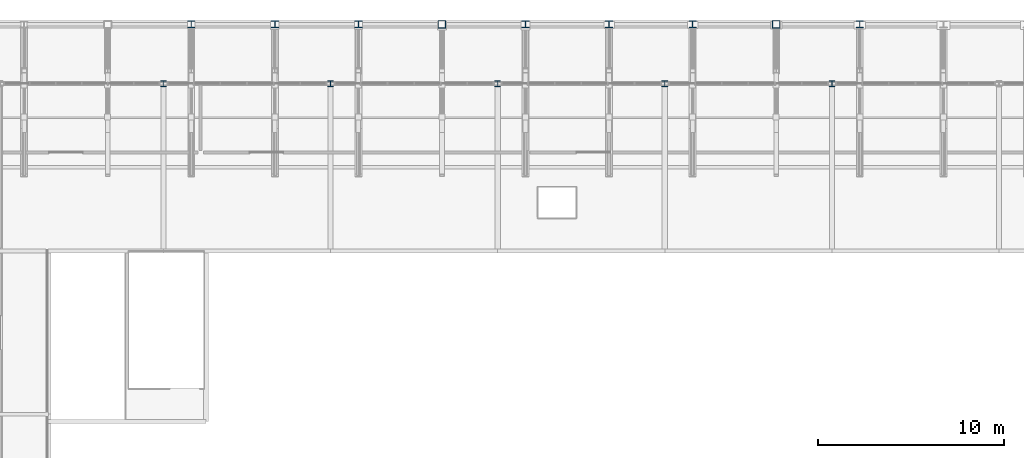
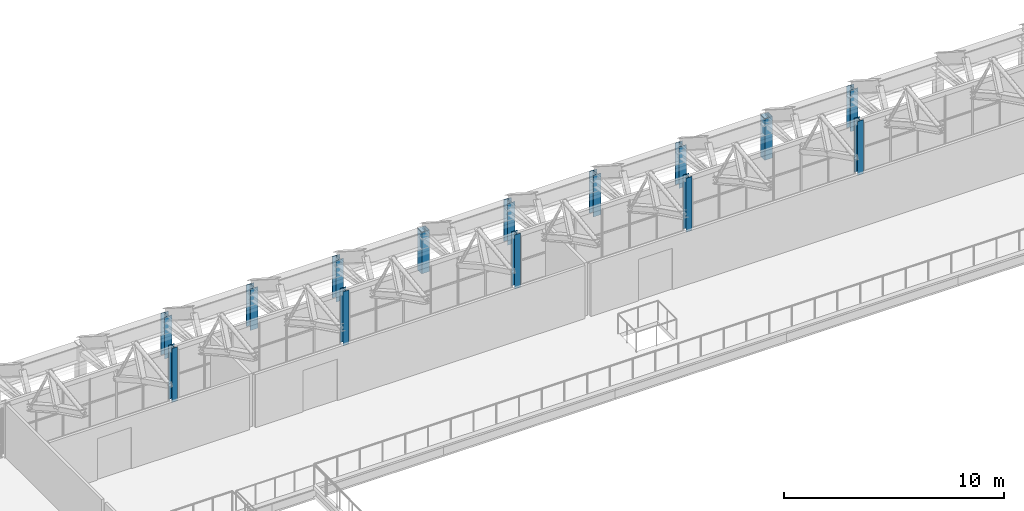
# One storey, part 14 of 134: 14 columns.
"""IFC4 building model written with IfcOpenShell, lengths in metres."""

from ifc_helpers import new_model, si_unit, direction, frame, origin, origin_2d, place, context, subcontext, project, spatial, hollow_rectangle, i_section, extrude, material, material_profile, profile_set, type_object, element, save


model = new_model("IFC4")

# Units and contexts
model_context = context("Model", 3, precision=1e-05, world=origin(), true_north=direction((0.0, 1.0)))
body_context = subcontext(model_context, "Body", "Model", "MODEL_VIEW")
ifc_project = project(units=[si_unit("LENGTHUNIT", "METRE"), si_unit("AREAUNIT", "SQUARE_METRE"), si_unit("VOLUMEUNIT", "CUBIC_METRE"), si_unit("PLANEANGLEUNIT", "RADIAN"), si_unit("MASSUNIT", "GRAM", prefix="KILO")], contexts=[model_context])

# Site, building, storey
site_placement = place(None, origin())
site = spatial("IfcSite", under=ifc_project, at=site_placement, CompositionType="ELEMENT")
building_placement = place(site_placement, origin())
building = spatial("IfcBuilding", under=site, at=building_placement, Name="Cazmaro Siding Exhibition Halls", CompositionType="ELEMENT")
storey_placement = place(building_placement, frame((0.0, 0.0, 12.0)))
storey = spatial("IfcBuildingStorey", under=building, at=storey_placement, Name="L02", CompositionType="ELEMENT", Elevation=12.0)

# Columns
ifc_material_1 = material(Name="Steel ASTM A992 Grade 50", Category="steel")
ifc_material_profile_1 = material_profile(ifc_material_1, i_section(OverallWidth=0.39208984375, OverallDepth=0.3759765625, WebThickness=0.01708984375, FlangeThickness=0.028076171875, at=origin_2d()), Name="W14X145")
ifc_profile_set_1 = profile_set([ifc_material_profile_1], Name="Steel ASTM A992 Grade 50")
column_type_1 = type_object("IfcColumnType", Name="C-03", PredefinedType="COLUMN", material=ifc_profile_set_1)
for number, where, z_axis, x_axis, name in (
    (1, (67.5, 124.0, 0.0), (0.0, 0.0, 1.0), (1.0, 0.0, 0.0), "Column C-03 COL-0036"),
    (2, (76.5, 124.0, 0.0), (0.0, 0.0, 1.0), (1.0, 0.0, 0.0), "Column C-03 COL-0048"),
    (3, (85.5, 124.0, 0.0), (0.0, 0.0, 1.0), (1.0, 0.0, 0.0), "Column C-03 COL-0060"),
    (4, (94.5, 124.0, 0.0), (0.0, 0.0, 1.0), (1.0, 0.0, 0.0), "Column C-03 COL-0072"),
    (5, (103.5, 124.0, 0.0), (0.0, 0.0, 1.0), (1.0, 0.0, 0.0), "Column C-03 COL-0084"),
):
    element("IfcColumn", number, at=place(storey_placement, frame(where, z_axis=z_axis, x_axis=x_axis)), inside=storey, type_object=column_type_1, Name=name, PredefinedType="COLUMN", context=body_context, shape_type="SweptSolid", body=[
        extrude(i_section(OverallWidth=0.39208984375, OverallDepth=0.3759765625, WebThickness=0.01708984375, FlangeThickness=0.028076171875, at=origin_2d()), origin(), (0.0, 0.0, 1.0), 2.300048828125),
    ])
ifc_material_2 = material(Name="Steel ASTM A992 Grade 50", Category="steel")
ifc_material_profile_2 = material_profile(ifc_material_2, i_section(OverallWidth=0.304931640625, OverallDepth=0.306884765625, WebThickness=0.010009765625, FlangeThickness=0.014892578125, at=origin_2d()), Name="W12X65")
ifc_profile_set_2 = profile_set([ifc_material_profile_2], Name="Steel ASTM A992 Grade 50")
column_type_2 = type_object("IfcColumnType", Name="C-06", PredefinedType="COLUMN", material=ifc_profile_set_2)
for number, where, z_axis, x_axis, name in (
    (6, (66.0, 120.800048828125, 0.0), (0.0, 0.0, 1.0), (1.0, 0.0, 0.0), "Column C-06 COL-0284"),
    (7, (75.0, 120.800048828125, 0.0), (0.0, 0.0, 1.0), (1.0, 0.0, 0.0), "Column C-06 COL-0294"),
    (8, (84.0, 120.800048828125, 0.0), (0.0, 0.0, 1.0), (1.0, 0.0, 0.0), "Column C-06 COL-0304"),
    (9, (93.0, 120.800048828125, 0.0), (0.0, 0.0, 1.0), (1.0, 0.0, 0.0), "Column C-06 COL-0314"),
    (10, (102.0, 120.800048828125, 0.0), (0.0, 0.0, 1.0), (1.0, 0.0, 0.0), "Column C-06 COL-0324"),
):
    element("IfcColumn", number, at=place(storey_placement, frame(where, z_axis=z_axis, x_axis=x_axis)), inside=storey, type_object=column_type_2, Name=name, PredefinedType="COLUMN", context=body_context, shape_type="SweptSolid", body=[
        extrude(i_section(OverallWidth=0.304931640625, OverallDepth=0.306884765625, WebThickness=0.010009765625, FlangeThickness=0.014892578125, at=origin_2d()), origin(), (0.0, 0.0, 1.0), 3.0),
    ])
ifc_material_3 = material(Name="Steel ASTM A992 Grade 50", Category="steel")
ifc_material_profile_3 = material_profile(ifc_material_3, i_section(OverallWidth=0.39892578125, OverallDepth=0.386962890625, WebThickness=0.02099609375, FlangeThickness=0.032958984375, at=origin_2d()), Name="W14X176")
ifc_profile_set_3 = profile_set([ifc_material_profile_3], Name="Steel ASTM A992 Grade 50")
column_type_3 = type_object("IfcColumnType", Name="C-11", PredefinedType="COLUMN", material=ifc_profile_set_3)
for number, where, z_axis, x_axis, name in (
    (11, (72.0, 124.0, 0.0), (0.0, 0.0, 1.0), (1.0, 0.0, 0.0), "Column C-11 COL-0042"),
    (12, (90.0, 124.0, 0.0), (0.0, 0.0, 1.0), (1.0, 0.0, 0.0), "Column C-11 COL-0066"),
):
    element("IfcColumn", number, at=place(storey_placement, frame(where, z_axis=z_axis, x_axis=x_axis)), inside=storey, type_object=column_type_3, Name=name, PredefinedType="COLUMN", context=body_context, shape_type="SweptSolid", body=[
        extrude(i_section(OverallWidth=0.39892578125, OverallDepth=0.386962890625, WebThickness=0.02099609375, FlangeThickness=0.032958984375, at=origin_2d()), origin(), (0.0, 0.0, 1.0), 2.300048828125),
    ])
ifc_material_4 = material(Name="Steel ASTM A500 Grade C", Category="steel")
ifc_material_profile_4 = material_profile(ifc_material_4, hollow_rectangle(XDim=0.406005859375, YDim=0.406005859375, WallThickness=0.014892578125, at=origin_2d()), Name="HSS16X16X5/8")
ifc_profile_set_4 = profile_set([ifc_material_profile_4], Name="Steel ASTM A500 Grade C")
column_type_4 = type_object("IfcColumnType", Name="PL-01", PredefinedType="PILASTER", material=ifc_profile_set_4)
for number, where, z_axis, x_axis, name in (
    (13, (81.0, 124.0, 0.0), (0.0, 0.0, 1.0), (1.0, 0.0, 0.0), "Column PL-01 COL-0054"),
    (14, (99.0, 124.0, 0.0), (0.0, 0.0, 1.0), (1.0, 0.0, 0.0), "Column PL-01 COL-0078"),
):
    element("IfcColumn", number, at=place(storey_placement, frame(where, z_axis=z_axis, x_axis=x_axis)), inside=storey, type_object=column_type_4, Name=name, PredefinedType="PILASTER", context=body_context, shape_type="SweptSolid", body=[
        extrude(hollow_rectangle(XDim=0.406005859375, YDim=0.406005859375, WallThickness=0.014892578125, at=origin_2d()), origin(), (0.0, 0.0, 1.0), 2.300048828125),
    ])

save(model, "model.ifc")
